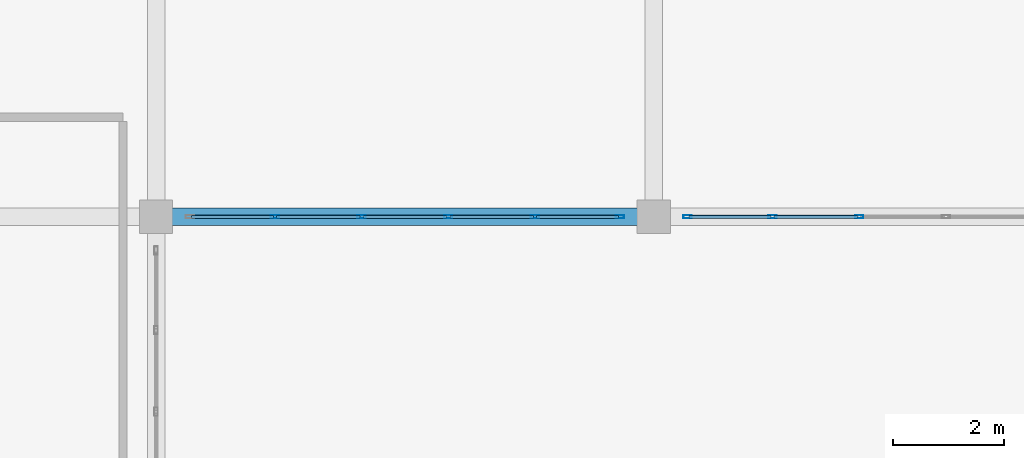
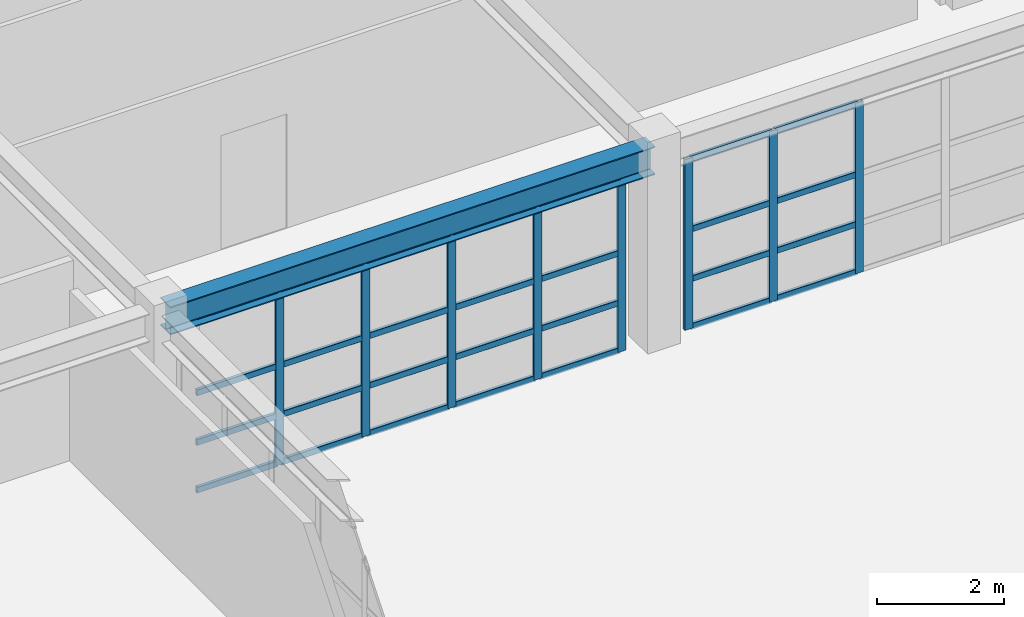
# One storey, part 14 of 110: 36 members, 1 beam, 2 elements without a shape of their own.
"""IFC4 building model written with IfcOpenShell, lengths in metres."""

from ifc_helpers import new_model, si_unit, direction, frame, origin, origin_2d, place, context, subcontext, project, spatial, hollow_rectangle, i_section, extrude, material, material_profile, profile_set, type_object, element, aggregate, save


model = new_model("IFC4")

# Units and contexts
model_context = context("Model", 3, precision=1e-05, world=origin(), true_north=direction((0.0, 1.0)))
body_context = subcontext(model_context, "Body", "Model", "MODEL_VIEW")
ifc_project = project(units=[si_unit("LENGTHUNIT", "METRE"), si_unit("AREAUNIT", "SQUARE_METRE"), si_unit("VOLUMEUNIT", "CUBIC_METRE"), si_unit("PLANEANGLEUNIT", "RADIAN"), si_unit("MASSUNIT", "GRAM", prefix="KILO")], contexts=[model_context])

# Site, building, storey
site_placement = place(None, origin())
site = spatial("IfcSite", under=ifc_project, at=site_placement, CompositionType="ELEMENT")
building_placement = place(site_placement, origin())
building = spatial("IfcBuilding", under=site, at=building_placement, Name="Miravela Opera House", CompositionType="ELEMENT")
storey_placement = place(building_placement, frame((0.0, 0.0, 13.60009765625)))
storey = spatial("IfcBuildingStorey", under=building, at=storey_placement, Name="L03", CompositionType="ELEMENT", Elevation=13.60009765625)

# Curtain wall, members
ifc_material_1 = material(Name="Anodised architectural bronze aluminium 6063-T6", Category="aluminium")
curtain_wall_type = type_object("IfcCurtainWallType", Name="ARC-CW-06", PredefinedType="NOTDEFINED", material=ifc_material_1)
curtain_wall_1_placement = place(storey_placement, origin())
curtain_wall_1 = element("IfcCurtainWall", 1, at=curtain_wall_1_placement, inside=storey, type_object=curtain_wall_type, Name="Courtyard Arcade Curtain Wall CW-L03-148", PredefinedType="NOTDEFINED")
ifc_material_profile_1 = material_profile(ifc_material_1, hollow_rectangle(XDim=0.06005859375, YDim=0.14990234375, WallThickness=0.00390625, InnerFilletRadius=0.001953125, OuterFilletRadius=0.00390625, at=origin_2d()), Name="CWM-60X150")
ifc_profile_set_1 = profile_set([ifc_material_profile_1])
member_type_1 = type_object("IfcMemberType", Name="ARC-CWM-150", PredefinedType="MULLION", material=ifc_profile_set_1)
member_1_placement = place(storey_placement, frame((29.14794921875, 28.0, 0.0), z_axis=(0.0, 0.0, 1.0), x_axis=(0.0, 1.0, 0.0)))
member_1 = element("IfcMember", 2, at=member_1_placement, type_object=member_type_1, Name="CW-06 mullion 2", PredefinedType="MULLION", context=body_context, shape_type="SweptSolid", body=[
    extrude(hollow_rectangle(XDim=0.06005859375, YDim=0.14990234375, WallThickness=0.00390625, InnerFilletRadius=0.001953125, OuterFilletRadius=0.00390625, at=origin_2d()), origin(), (0.0, 0.0, 1.0), 3.289794921875),
])
member_2_placement = place(storey_placement, frame((30.716064453125, 28.0, 0.0), z_axis=(0.0, 0.0, 1.0), x_axis=(0.0, 1.0, 0.0)))
member_2 = element("IfcMember", 3, at=member_2_placement, type_object=member_type_1, Name="CW-06 mullion 3", PredefinedType="MULLION", context=body_context, shape_type="SweptSolid", body=[
    extrude(hollow_rectangle(XDim=0.06005859375, YDim=0.14990234375, WallThickness=0.00390625, InnerFilletRadius=0.001953125, OuterFilletRadius=0.00390625, at=origin_2d()), origin(), (0.0, 0.0, 1.0), 3.289794921875),
])
member_3_placement = place(storey_placement, frame((32.283935546875, 28.0, 0.0), z_axis=(0.0, 0.0, 1.0), x_axis=(0.0, 1.0, 0.0)))
member_3 = element("IfcMember", 4, at=member_3_placement, type_object=member_type_1, Name="CW-06 mullion 4", PredefinedType="MULLION", context=body_context, shape_type="SweptSolid", body=[
    extrude(hollow_rectangle(XDim=0.06005859375, YDim=0.14990234375, WallThickness=0.00390625, InnerFilletRadius=0.001953125, OuterFilletRadius=0.00390625, at=origin_2d()), origin(), (0.0, 0.0, 1.0), 3.289794921875),
])
member_4_placement = place(storey_placement, frame((33.85205078125, 28.0, 0.0), z_axis=(0.0, 0.0, 1.0), x_axis=(0.0, 1.0, 0.0)))
member_4 = element("IfcMember", 5, at=member_4_placement, type_object=member_type_1, Name="CW-06 mullion 5", PredefinedType="MULLION", context=body_context, shape_type="SweptSolid", body=[
    extrude(hollow_rectangle(XDim=0.06005859375, YDim=0.14990234375, WallThickness=0.00390625, InnerFilletRadius=0.001953125, OuterFilletRadius=0.00390625, at=origin_2d()), origin(), (0.0, 0.0, 1.0), 3.289794921875),
])
member_5_placement = place(storey_placement, frame((35.389892578125, 28.0, 0.0), z_axis=(0.0, 0.0, 1.0), x_axis=(0.0, 1.0, 0.0)))
member_5 = element("IfcMember", 6, at=member_5_placement, type_object=member_type_1, Name="CW-06 mullion 6", PredefinedType="MULLION", context=body_context, shape_type="SweptSolid", body=[
    extrude(hollow_rectangle(XDim=0.06005859375, YDim=0.14990234375, WallThickness=0.00390625, InnerFilletRadius=0.001953125, OuterFilletRadius=0.00390625, at=origin_2d()), origin(), (0.0, 0.0, 1.0), 3.289794921875),
])

curtain_wall_2_placement = place(storey_placement, origin())
curtain_wall_2 = element("IfcCurtainWall", 7, at=curtain_wall_2_placement, inside=storey, type_object=curtain_wall_type, Name="Courtyard Arcade Curtain Wall CW-L03-149", PredefinedType="NOTDEFINED")
member_6_placement = place(storey_placement, frame((36.610107421875, 28.0, 0.0), z_axis=(0.0, 0.0, 1.0), x_axis=(0.0, 1.0, 0.0)))
member_6 = element("IfcMember", 8, at=member_6_placement, type_object=member_type_1, Name="CW-06 mullion 1", PredefinedType="MULLION", context=body_context, shape_type="SweptSolid", body=[
    extrude(hollow_rectangle(XDim=0.06005859375, YDim=0.14990234375, WallThickness=0.00390625, InnerFilletRadius=0.001953125, OuterFilletRadius=0.00390625, at=origin_2d()), origin(), (0.0, 0.0, 1.0), 3.289794921875),
])
member_7_placement = place(storey_placement, frame((38.14794921875, 28.0, 0.0), z_axis=(0.0, 0.0, 1.0), x_axis=(0.0, 1.0, 0.0)))
member_7 = element("IfcMember", 9, at=member_7_placement, type_object=member_type_1, Name="CW-06 mullion 2", PredefinedType="MULLION", context=body_context, shape_type="SweptSolid", body=[
    extrude(hollow_rectangle(XDim=0.06005859375, YDim=0.14990234375, WallThickness=0.00390625, InnerFilletRadius=0.001953125, OuterFilletRadius=0.00390625, at=origin_2d()), origin(), (0.0, 0.0, 1.0), 3.289794921875),
])
member_8_placement = place(storey_placement, frame((39.716064453125, 28.0, 0.0), z_axis=(0.0, 0.0, 1.0), x_axis=(0.0, 1.0, 0.0)))
member_8 = element("IfcMember", 10, at=member_8_placement, type_object=member_type_1, Name="CW-06 mullion 3", PredefinedType="MULLION", context=body_context, shape_type="SweptSolid", body=[
    extrude(hollow_rectangle(XDim=0.06005859375, YDim=0.14990234375, WallThickness=0.00390625, InnerFilletRadius=0.001953125, OuterFilletRadius=0.00390625, at=origin_2d()), origin(), (0.0, 0.0, 1.0), 3.289794921875),
])

# Member
ifc_material_profile_2 = material_profile(ifc_material_1, hollow_rectangle(XDim=0.06005859375, YDim=0.114990234375, WallThickness=0.00390625, InnerFilletRadius=0.001953125, OuterFilletRadius=0.00390625, at=origin_2d()), Name="CWT-60X115")
ifc_profile_set_2 = profile_set([ifc_material_profile_2])
member_type_2 = type_object("IfcMemberType", Name="ARC-CWT-115", PredefinedType="USERDEFINED", material=ifc_profile_set_2)
member_9_placement = place(storey_placement, frame((27.639892578125, 28.0, 0.02978515625), z_axis=(1.0, 0.0, 0.0), x_axis=(0.0, 1.0, 0.0)))
member_9 = element("IfcMember", 11, at=member_9_placement, type_object=member_type_2, Name="CW-06 transom 1.1", ObjectType="TRANSOM", PredefinedType="USERDEFINED", context=body_context, shape_type="SweptSolid", body=[
    extrude(hollow_rectangle(XDim=0.06005859375, YDim=0.114990234375, WallThickness=0.00390625, InnerFilletRadius=0.001953125, OuterFilletRadius=0.00390625, at=origin_2d()), origin(), (0.0, 0.0, 1.0), 1.47802734375),
])

member_10_placement = place(storey_placement, frame((27.639892578125, 28.0, 0.949951171875), z_axis=(1.0, 0.0, 0.0), x_axis=(0.0, 1.0, 0.0)))
member_10 = element("IfcMember", 12, at=member_10_placement, type_object=member_type_2, Name="CW-06 transom 1.2", ObjectType="TRANSOM", PredefinedType="USERDEFINED", context=body_context, shape_type="SweptSolid", body=[
    extrude(hollow_rectangle(XDim=0.06005859375, YDim=0.114990234375, WallThickness=0.00390625, InnerFilletRadius=0.001953125, OuterFilletRadius=0.00390625, at=origin_2d()), origin(), (0.0, 0.0, 1.0), 1.47802734375),
])

member_11_placement = place(storey_placement, frame((27.639892578125, 28.0, 1.908203125), z_axis=(1.0, 0.0, 0.0), x_axis=(0.0, 1.0, 0.0)))
member_11 = element("IfcMember", 13, at=member_11_placement, type_object=member_type_2, Name="CW-06 transom 1.3", ObjectType="TRANSOM", PredefinedType="USERDEFINED", context=body_context, shape_type="SweptSolid", body=[
    extrude(hollow_rectangle(XDim=0.06005859375, YDim=0.114990234375, WallThickness=0.00390625, InnerFilletRadius=0.001953125, OuterFilletRadius=0.00390625, at=origin_2d()), origin(), (0.0, 0.0, 1.0), 1.47802734375),
])

member_12_placement = place(storey_placement, frame((27.639892578125, 28.0, 3.260009765625), z_axis=(1.0, 0.0, 0.0), x_axis=(0.0, 1.0, 0.0)))
member_12 = element("IfcMember", 14, at=member_12_placement, type_object=member_type_2, Name="CW-06 transom 1.4", ObjectType="TRANSOM", PredefinedType="USERDEFINED", context=body_context, shape_type="SweptSolid", body=[
    extrude(hollow_rectangle(XDim=0.06005859375, YDim=0.114990234375, WallThickness=0.00390625, InnerFilletRadius=0.001953125, OuterFilletRadius=0.00390625, at=origin_2d()), origin(), (0.0, 0.0, 1.0), 1.47802734375),
])

member_13_placement = place(storey_placement, frame((29.177978515625, 28.0, 0.02978515625), z_axis=(1.0, 0.0, 0.0), x_axis=(0.0, 1.0, 0.0)))
member_13 = element("IfcMember", 15, at=member_13_placement, type_object=member_type_2, Name="CW-06 transom 2.1", ObjectType="TRANSOM", PredefinedType="USERDEFINED", context=body_context, shape_type="SweptSolid", body=[
    extrude(hollow_rectangle(XDim=0.06005859375, YDim=0.114990234375, WallThickness=0.00390625, InnerFilletRadius=0.001953125, OuterFilletRadius=0.00390625, at=origin_2d()), origin(), (0.0, 0.0, 1.0), 1.508056640625),
])

member_14_placement = place(storey_placement, frame((29.177978515625, 28.0, 0.949951171875), z_axis=(1.0, 0.0, 0.0), x_axis=(0.0, 1.0, 0.0)))
member_14 = element("IfcMember", 16, at=member_14_placement, type_object=member_type_2, Name="CW-06 transom 2.2", ObjectType="TRANSOM", PredefinedType="USERDEFINED", context=body_context, shape_type="SweptSolid", body=[
    extrude(hollow_rectangle(XDim=0.06005859375, YDim=0.114990234375, WallThickness=0.00390625, InnerFilletRadius=0.001953125, OuterFilletRadius=0.00390625, at=origin_2d()), origin(), (0.0, 0.0, 1.0), 1.508056640625),
])

member_15_placement = place(storey_placement, frame((29.177978515625, 28.0, 1.908203125), z_axis=(1.0, 0.0, 0.0), x_axis=(0.0, 1.0, 0.0)))
member_15 = element("IfcMember", 17, at=member_15_placement, type_object=member_type_2, Name="CW-06 transom 2.3", ObjectType="TRANSOM", PredefinedType="USERDEFINED", context=body_context, shape_type="SweptSolid", body=[
    extrude(hollow_rectangle(XDim=0.06005859375, YDim=0.114990234375, WallThickness=0.00390625, InnerFilletRadius=0.001953125, OuterFilletRadius=0.00390625, at=origin_2d()), origin(), (0.0, 0.0, 1.0), 1.508056640625),
])

member_16_placement = place(storey_placement, frame((29.177978515625, 28.0, 3.260009765625), z_axis=(1.0, 0.0, 0.0), x_axis=(0.0, 1.0, 0.0)))
member_16 = element("IfcMember", 18, at=member_16_placement, type_object=member_type_2, Name="CW-06 transom 2.4", ObjectType="TRANSOM", PredefinedType="USERDEFINED", context=body_context, shape_type="SweptSolid", body=[
    extrude(hollow_rectangle(XDim=0.06005859375, YDim=0.114990234375, WallThickness=0.00390625, InnerFilletRadius=0.001953125, OuterFilletRadius=0.00390625, at=origin_2d()), origin(), (0.0, 0.0, 1.0), 1.508056640625),
])

member_17_placement = place(storey_placement, frame((30.74609375, 28.0, 0.02978515625), z_axis=(1.0, 0.0, 0.0), x_axis=(0.0, 1.0, 0.0)))
member_17 = element("IfcMember", 19, at=member_17_placement, type_object=member_type_2, Name="CW-06 transom 3.1", ObjectType="TRANSOM", PredefinedType="USERDEFINED", context=body_context, shape_type="SweptSolid", body=[
    extrude(hollow_rectangle(XDim=0.06005859375, YDim=0.114990234375, WallThickness=0.00390625, InnerFilletRadius=0.001953125, OuterFilletRadius=0.00390625, at=origin_2d()), origin(), (0.0, 0.0, 1.0), 1.5078125),
])

member_18_placement = place(storey_placement, frame((30.74609375, 28.0, 0.949951171875), z_axis=(1.0, 0.0, 0.0), x_axis=(0.0, 1.0, 0.0)))
member_18 = element("IfcMember", 20, at=member_18_placement, type_object=member_type_2, Name="CW-06 transom 3.2", ObjectType="TRANSOM", PredefinedType="USERDEFINED", context=body_context, shape_type="SweptSolid", body=[
    extrude(hollow_rectangle(XDim=0.06005859375, YDim=0.114990234375, WallThickness=0.00390625, InnerFilletRadius=0.001953125, OuterFilletRadius=0.00390625, at=origin_2d()), origin(), (0.0, 0.0, 1.0), 1.5078125),
])

member_19_placement = place(storey_placement, frame((30.74609375, 28.0, 1.908203125), z_axis=(1.0, 0.0, 0.0), x_axis=(0.0, 1.0, 0.0)))
member_19 = element("IfcMember", 21, at=member_19_placement, type_object=member_type_2, Name="CW-06 transom 3.3", ObjectType="TRANSOM", PredefinedType="USERDEFINED", context=body_context, shape_type="SweptSolid", body=[
    extrude(hollow_rectangle(XDim=0.06005859375, YDim=0.114990234375, WallThickness=0.00390625, InnerFilletRadius=0.001953125, OuterFilletRadius=0.00390625, at=origin_2d()), origin(), (0.0, 0.0, 1.0), 1.5078125),
])

member_20_placement = place(storey_placement, frame((30.74609375, 28.0, 3.260009765625), z_axis=(1.0, 0.0, 0.0), x_axis=(0.0, 1.0, 0.0)))
member_20 = element("IfcMember", 22, at=member_20_placement, type_object=member_type_2, Name="CW-06 transom 3.4", ObjectType="TRANSOM", PredefinedType="USERDEFINED", context=body_context, shape_type="SweptSolid", body=[
    extrude(hollow_rectangle(XDim=0.06005859375, YDim=0.114990234375, WallThickness=0.00390625, InnerFilletRadius=0.001953125, OuterFilletRadius=0.00390625, at=origin_2d()), origin(), (0.0, 0.0, 1.0), 1.5078125),
])

member_21_placement = place(storey_placement, frame((32.31396484375, 28.0, 0.02978515625), z_axis=(1.0, 0.0, 0.0), x_axis=(0.0, 1.0, 0.0)))
member_21 = element("IfcMember", 23, at=member_21_placement, type_object=member_type_2, Name="CW-06 transom 4.1", ObjectType="TRANSOM", PredefinedType="USERDEFINED", context=body_context, shape_type="SweptSolid", body=[
    extrude(hollow_rectangle(XDim=0.06005859375, YDim=0.114990234375, WallThickness=0.00390625, InnerFilletRadius=0.001953125, OuterFilletRadius=0.00390625, at=origin_2d()), origin(), (0.0, 0.0, 1.0), 1.508056640625),
])

member_22_placement = place(storey_placement, frame((32.31396484375, 28.0, 0.949951171875), z_axis=(1.0, 0.0, 0.0), x_axis=(0.0, 1.0, 0.0)))
member_22 = element("IfcMember", 24, at=member_22_placement, type_object=member_type_2, Name="CW-06 transom 4.2", ObjectType="TRANSOM", PredefinedType="USERDEFINED", context=body_context, shape_type="SweptSolid", body=[
    extrude(hollow_rectangle(XDim=0.06005859375, YDim=0.114990234375, WallThickness=0.00390625, InnerFilletRadius=0.001953125, OuterFilletRadius=0.00390625, at=origin_2d()), origin(), (0.0, 0.0, 1.0), 1.508056640625),
])

member_23_placement = place(storey_placement, frame((32.31396484375, 28.0, 1.908203125), z_axis=(1.0, 0.0, 0.0), x_axis=(0.0, 1.0, 0.0)))
member_23 = element("IfcMember", 25, at=member_23_placement, type_object=member_type_2, Name="CW-06 transom 4.3", ObjectType="TRANSOM", PredefinedType="USERDEFINED", context=body_context, shape_type="SweptSolid", body=[
    extrude(hollow_rectangle(XDim=0.06005859375, YDim=0.114990234375, WallThickness=0.00390625, InnerFilletRadius=0.001953125, OuterFilletRadius=0.00390625, at=origin_2d()), origin(), (0.0, 0.0, 1.0), 1.508056640625),
])

member_24_placement = place(storey_placement, frame((32.31396484375, 28.0, 3.260009765625), z_axis=(1.0, 0.0, 0.0), x_axis=(0.0, 1.0, 0.0)))
member_24 = element("IfcMember", 26, at=member_24_placement, type_object=member_type_2, Name="CW-06 transom 4.4", ObjectType="TRANSOM", PredefinedType="USERDEFINED", context=body_context, shape_type="SweptSolid", body=[
    extrude(hollow_rectangle(XDim=0.06005859375, YDim=0.114990234375, WallThickness=0.00390625, InnerFilletRadius=0.001953125, OuterFilletRadius=0.00390625, at=origin_2d()), origin(), (0.0, 0.0, 1.0), 1.508056640625),
])

member_25_placement = place(storey_placement, frame((33.882080078125, 28.0, 0.02978515625), z_axis=(1.0, 0.0, 0.0), x_axis=(0.0, 1.0, 0.0)))
member_25 = element("IfcMember", 27, at=member_25_placement, type_object=member_type_2, Name="CW-06 transom 5.1", ObjectType="TRANSOM", PredefinedType="USERDEFINED", context=body_context, shape_type="SweptSolid", body=[
    extrude(hollow_rectangle(XDim=0.06005859375, YDim=0.114990234375, WallThickness=0.00390625, InnerFilletRadius=0.001953125, OuterFilletRadius=0.00390625, at=origin_2d()), origin(), (0.0, 0.0, 1.0), 1.47802734375),
])

member_26_placement = place(storey_placement, frame((33.882080078125, 28.0, 0.949951171875), z_axis=(1.0, 0.0, 0.0), x_axis=(0.0, 1.0, 0.0)))
member_26 = element("IfcMember", 28, at=member_26_placement, type_object=member_type_2, Name="CW-06 transom 5.2", ObjectType="TRANSOM", PredefinedType="USERDEFINED", context=body_context, shape_type="SweptSolid", body=[
    extrude(hollow_rectangle(XDim=0.06005859375, YDim=0.114990234375, WallThickness=0.00390625, InnerFilletRadius=0.001953125, OuterFilletRadius=0.00390625, at=origin_2d()), origin(), (0.0, 0.0, 1.0), 1.47802734375),
])

member_27_placement = place(storey_placement, frame((33.882080078125, 28.0, 1.908203125), z_axis=(1.0, 0.0, 0.0), x_axis=(0.0, 1.0, 0.0)))
member_27 = element("IfcMember", 29, at=member_27_placement, type_object=member_type_2, Name="CW-06 transom 5.3", ObjectType="TRANSOM", PredefinedType="USERDEFINED", context=body_context, shape_type="SweptSolid", body=[
    extrude(hollow_rectangle(XDim=0.06005859375, YDim=0.114990234375, WallThickness=0.00390625, InnerFilletRadius=0.001953125, OuterFilletRadius=0.00390625, at=origin_2d()), origin(), (0.0, 0.0, 1.0), 1.47802734375),
])

member_28_placement = place(storey_placement, frame((33.882080078125, 28.0, 3.260009765625), z_axis=(1.0, 0.0, 0.0), x_axis=(0.0, 1.0, 0.0)))
member_28 = element("IfcMember", 30, at=member_28_placement, type_object=member_type_2, Name="CW-06 transom 5.4", ObjectType="TRANSOM", PredefinedType="USERDEFINED", context=body_context, shape_type="SweptSolid", body=[
    extrude(hollow_rectangle(XDim=0.06005859375, YDim=0.114990234375, WallThickness=0.00390625, InnerFilletRadius=0.001953125, OuterFilletRadius=0.00390625, at=origin_2d()), origin(), (0.0, 0.0, 1.0), 1.47802734375),
])

aggregate(curtain_wall_1, [member_1, member_2, member_3, member_4, member_5, member_9, member_10, member_11, member_12, member_13, member_14, member_15, member_16, member_17, member_18, member_19, member_20, member_21, member_22, member_23, member_24, member_25, member_26, member_27, member_28])

member_29_placement = place(storey_placement, frame((36.639892578125, 28.0, 0.02978515625), z_axis=(1.0, 0.0, 0.0), x_axis=(0.0, 1.0, 0.0)))
member_29 = element("IfcMember", 31, at=member_29_placement, type_object=member_type_2, Name="CW-06 transom 1.1", ObjectType="TRANSOM", PredefinedType="USERDEFINED", context=body_context, shape_type="SweptSolid", body=[
    extrude(hollow_rectangle(XDim=0.06005859375, YDim=0.114990234375, WallThickness=0.00390625, InnerFilletRadius=0.001953125, OuterFilletRadius=0.00390625, at=origin_2d()), origin(), (0.0, 0.0, 1.0), 1.47802734375),
])

member_30_placement = place(storey_placement, frame((36.639892578125, 28.0, 0.949951171875), z_axis=(1.0, 0.0, 0.0), x_axis=(0.0, 1.0, 0.0)))
member_30 = element("IfcMember", 32, at=member_30_placement, type_object=member_type_2, Name="CW-06 transom 1.2", ObjectType="TRANSOM", PredefinedType="USERDEFINED", context=body_context, shape_type="SweptSolid", body=[
    extrude(hollow_rectangle(XDim=0.06005859375, YDim=0.114990234375, WallThickness=0.00390625, InnerFilletRadius=0.001953125, OuterFilletRadius=0.00390625, at=origin_2d()), origin(), (0.0, 0.0, 1.0), 1.47802734375),
])

member_31_placement = place(storey_placement, frame((36.639892578125, 28.0, 1.908203125), z_axis=(1.0, 0.0, 0.0), x_axis=(0.0, 1.0, 0.0)))
member_31 = element("IfcMember", 33, at=member_31_placement, type_object=member_type_2, Name="CW-06 transom 1.3", ObjectType="TRANSOM", PredefinedType="USERDEFINED", context=body_context, shape_type="SweptSolid", body=[
    extrude(hollow_rectangle(XDim=0.06005859375, YDim=0.114990234375, WallThickness=0.00390625, InnerFilletRadius=0.001953125, OuterFilletRadius=0.00390625, at=origin_2d()), origin(), (0.0, 0.0, 1.0), 1.47802734375),
])

member_32_placement = place(storey_placement, frame((36.639892578125, 28.0, 3.260009765625), z_axis=(1.0, 0.0, 0.0), x_axis=(0.0, 1.0, 0.0)))
member_32 = element("IfcMember", 34, at=member_32_placement, type_object=member_type_2, Name="CW-06 transom 1.4", ObjectType="TRANSOM", PredefinedType="USERDEFINED", context=body_context, shape_type="SweptSolid", body=[
    extrude(hollow_rectangle(XDim=0.06005859375, YDim=0.114990234375, WallThickness=0.00390625, InnerFilletRadius=0.001953125, OuterFilletRadius=0.00390625, at=origin_2d()), origin(), (0.0, 0.0, 1.0), 1.47802734375),
])

member_33_placement = place(storey_placement, frame((38.177978515625, 28.0, 0.02978515625), z_axis=(1.0, 0.0, 0.0), x_axis=(0.0, 1.0, 0.0)))
member_33 = element("IfcMember", 35, at=member_33_placement, type_object=member_type_2, Name="CW-06 transom 2.1", ObjectType="TRANSOM", PredefinedType="USERDEFINED", context=body_context, shape_type="SweptSolid", body=[
    extrude(hollow_rectangle(XDim=0.06005859375, YDim=0.114990234375, WallThickness=0.00390625, InnerFilletRadius=0.001953125, OuterFilletRadius=0.00390625, at=origin_2d()), origin(), (0.0, 0.0, 1.0), 1.508056640625),
])

member_34_placement = place(storey_placement, frame((38.177978515625, 28.0, 0.949951171875), z_axis=(1.0, 0.0, 0.0), x_axis=(0.0, 1.0, 0.0)))
member_34 = element("IfcMember", 36, at=member_34_placement, type_object=member_type_2, Name="CW-06 transom 2.2", ObjectType="TRANSOM", PredefinedType="USERDEFINED", context=body_context, shape_type="SweptSolid", body=[
    extrude(hollow_rectangle(XDim=0.06005859375, YDim=0.114990234375, WallThickness=0.00390625, InnerFilletRadius=0.001953125, OuterFilletRadius=0.00390625, at=origin_2d()), origin(), (0.0, 0.0, 1.0), 1.508056640625),
])

member_35_placement = place(storey_placement, frame((38.177978515625, 28.0, 1.908203125), z_axis=(1.0, 0.0, 0.0), x_axis=(0.0, 1.0, 0.0)))
member_35 = element("IfcMember", 37, at=member_35_placement, type_object=member_type_2, Name="CW-06 transom 2.3", ObjectType="TRANSOM", PredefinedType="USERDEFINED", context=body_context, shape_type="SweptSolid", body=[
    extrude(hollow_rectangle(XDim=0.06005859375, YDim=0.114990234375, WallThickness=0.00390625, InnerFilletRadius=0.001953125, OuterFilletRadius=0.00390625, at=origin_2d()), origin(), (0.0, 0.0, 1.0), 1.508056640625),
])

member_36_placement = place(storey_placement, frame((38.177978515625, 28.0, 3.260009765625), z_axis=(1.0, 0.0, 0.0), x_axis=(0.0, 1.0, 0.0)))
member_36 = element("IfcMember", 38, at=member_36_placement, type_object=member_type_2, Name="CW-06 transom 2.4", ObjectType="TRANSOM", PredefinedType="USERDEFINED", context=body_context, shape_type="SweptSolid", body=[
    extrude(hollow_rectangle(XDim=0.06005859375, YDim=0.114990234375, WallThickness=0.00390625, InnerFilletRadius=0.001953125, OuterFilletRadius=0.00390625, at=origin_2d()), origin(), (0.0, 0.0, 1.0), 1.508056640625),
])

aggregate(curtain_wall_2, [member_6, member_7, member_8, member_29, member_30, member_31, member_32, member_33, member_34, member_35, member_36])

# Beam
ifc_material_2 = material(Name="Structural steel ASTM A992 Gr. 50", Category="steel")
ifc_material_profile_3 = material_profile(ifc_material_2, i_section(OverallWidth=0.31201171875, OverallDepth=0.54296875, WebThickness=0.0126953125, FlangeThickness=0.020263671875, FilletRadius=0.01611328125, at=origin_2d()), Name="W530X150")
ifc_profile_set_3 = profile_set([ifc_material_profile_3])
beam_type = type_object("IfcBeamType", Name="STR-BM-W530X150", PredefinedType="BEAM", material=ifc_profile_set_3)
beam_placement = place(storey_placement, frame((27.080078125, 28.0, 3.568359375), z_axis=(1.0, 0.0, 0.0), x_axis=(0.0, 1.0, 0.0)))
element("IfcBeam", 39, at=beam_placement, inside=storey, type_object=beam_type, Name="Roof Eave Girder ROOF-V4-WEST-N S2", PredefinedType="BEAM", context=body_context, shape_type="SweptSolid", body=[
    extrude(i_section(OverallWidth=0.31201171875, OverallDepth=0.54296875, WebThickness=0.0126953125, FlangeThickness=0.020263671875, FilletRadius=0.01611328125, at=origin_2d()), origin(), (0.0, 0.0, 1.0), 8.83984375),
])

save(model, "model.ifc")
